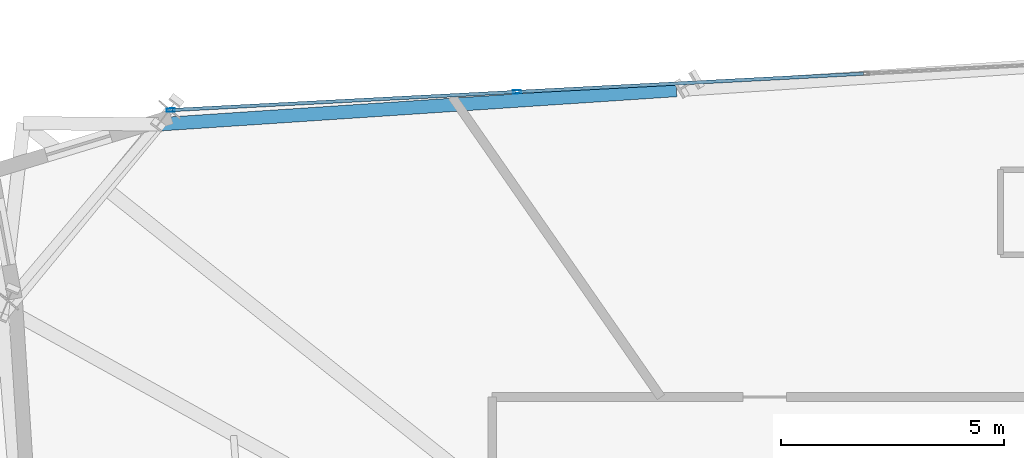
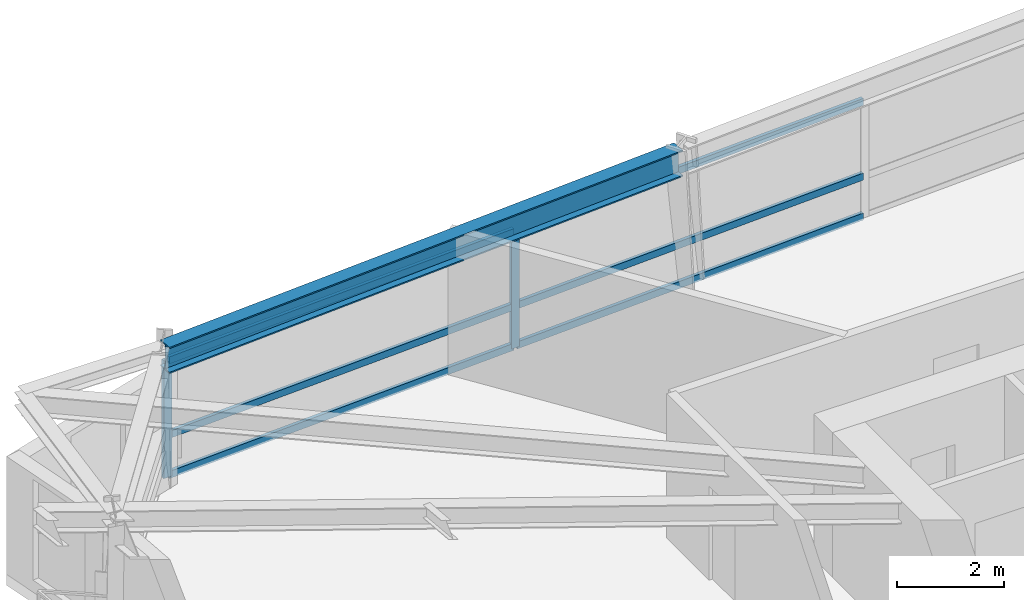
# One storey, part 7 of 21: 8 members, 1 beam, 1 element without a shape of its own.
"""IFC4 building model written with IfcOpenShell, lengths in metres."""

from ifc_helpers import new_model, si_unit, direction, frame, origin, origin_2d, place, context, subcontext, project, spatial, hollow_rectangle, i_section, extrude, source, transform, mapped, material, material_profile, profile_set, type_object, element, aggregate, save


model = new_model("IFC4")

# Units and contexts
model_context = context("Model", 3, precision=1e-05, world=origin(), true_north=direction((0.0, 1.0)))
body_context = subcontext(model_context, "Body", "Model", "MODEL_VIEW")
ifc_project = project(units=[si_unit("LENGTHUNIT", "METRE"), si_unit("AREAUNIT", "SQUARE_METRE"), si_unit("VOLUMEUNIT", "CUBIC_METRE"), si_unit("PLANEANGLEUNIT", "RADIAN"), si_unit("MASSUNIT", "GRAM", prefix="KILO")], contexts=[model_context])

# Site, building, storey
site_placement = place(None, origin())
site = spatial("IfcSite", under=ifc_project, at=site_placement, CompositionType="ELEMENT")
building_placement = place(site_placement, origin())
building = spatial("IfcBuilding", under=site, at=building_placement, Name="Olszyna Solenne Hotel", CompositionType="ELEMENT")
storey_placement = place(building_placement, frame((0.0, 0.0, 105.699951171875)))
storey = spatial("IfcBuildingStorey", under=building, at=storey_placement, Name="L27", CompositionType="ELEMENT", Elevation=105.699951171875)

# Beam
ifc_material_1 = material(Name="Steel S355J2", Category="steel")
ifc_material_profile_1 = material_profile(ifc_material_1, i_section(OverallWidth=0.300048828125, OverallDepth=0.60009765625, WebThickness=0.015380859375, FlangeThickness=0.030029296875, at=origin_2d()), Name="HEB 600", Category="load-bearing")
ifc_profile_set_1 = profile_set([ifc_material_profile_1], Name="Steel S355J2")
beam_type = type_object("IfcBeamType", Name="BM-S2", PredefinedType="BEAM", material=ifc_profile_set_1)
shared_shape_1 = source(origin(), body_context, "Body", "SweptSolid", [
    extrude(i_section(OverallWidth=0.300048828125, OverallDepth=0.60009765625, WebThickness=0.015380859375, FlangeThickness=0.030029296875, at=origin_2d()), origin(), (0.0, 0.0, 1.0), 11.556640625),
])
beam_placement = place(storey_placement, frame((31.5712890625, 43.22021484375, 3.0), z_axis=(-0.99780586103, -0.066207731378, 0.0), x_axis=(0.066207731378, -0.99780586103, 0.0)))
element("IfcBeam", 1, at=beam_placement, inside=storey, type_object=beam_type, Name="Perimeter spandrel beam BM-S2 B-L27-0813", PredefinedType="BEAM", context=body_context, shape_type="MappedRepresentation", body=[
    mapped(shared_shape_1, transform((0.0, 0.0, 0.0), x_axis=(1.0, 0.0, 0.0), y_axis=(0.0, 1.0, 0.0), z_axis=(0.0, 0.0, 1.0), scale=1.0)),
])

# Curtain wall, members
ifc_material_2 = material(Name="Anodised bronze aluminium", Category="aluminium")
curtain_wall_type = type_object("IfcCurtainWallType", Name="CW-SYS-3", PredefinedType="NOTDEFINED", material=ifc_material_2)
curtain_wall_placement = place(storey_placement, origin())
curtain_wall = element("IfcCurtainWall", 2, at=curtain_wall_placement, inside=storey, type_object=curtain_wall_type, Name="Unitised curtain wall CW-SYS-3 CW-L27-02", PredefinedType="NOTDEFINED")
ifc_material_profile_2 = material_profile(ifc_material_2, hollow_rectangle(XDim=0.074951171875, YDim=0.179931640625, WallThickness=0.00439453125, at=origin_2d()), Name="MULL 180x75x4.5", Category="load-bearing")
ifc_profile_set_2 = profile_set([ifc_material_profile_2], Name="Anodised bronze aluminium")
member_type_1 = type_object("IfcMemberType", Name="CW-M2", PredefinedType="MULLION", material=ifc_profile_set_2)
shared_shape_2 = source(origin(), body_context, "Body", "SweptSolid", [
    extrude(hollow_rectangle(XDim=0.074951171875, YDim=0.179931640625, WallThickness=0.00439453125, at=origin_2d()), origin(), (0.0, 0.0, 1.0), 2.692138671875),
])
member_1_placement = place(storey_placement, frame((20.258544921875, 42.771240234375, 0.0), z_axis=(0.0, 0.0, 1.0), x_axis=(-0.052482970069, 0.998621819235, 0.0)))
member_1 = element("IfcMember", 3, at=member_1_placement, type_object=member_type_1, Name="Curtain-wall mullion CW-M2 CM-L27-02-01", PredefinedType="MULLION", context=body_context, shape_type="MappedRepresentation", body=[
    mapped(shared_shape_2, transform((0.0, 0.0, 0.0), x_axis=(1.0, 0.0, 0.0), y_axis=(0.0, 1.0, 0.0), z_axis=(0.0, 0.0, 1.0), scale=1.0)),
])
member_2_placement = place(storey_placement, frame((28.00537109375, 43.17822265625, 0.0), z_axis=(0.0, 0.0, 1.0), x_axis=(-0.052482970069, 0.998621819235, 0.0)))
member_2 = element("IfcMember", 4, at=member_2_placement, type_object=member_type_1, Name="Curtain-wall mullion CW-M2 CM-L27-02-02", PredefinedType="MULLION", context=body_context, shape_type="MappedRepresentation", body=[
    mapped(shared_shape_2, transform((0.0, 0.0, 0.0), x_axis=(1.0, 0.0, 0.0), y_axis=(0.0, 1.0, 0.0), z_axis=(0.0, 0.0, 1.0), scale=1.0)),
])
ifc_material_profile_3 = material_profile(ifc_material_2, hollow_rectangle(XDim=0.074951171875, YDim=0.159912109375, WallThickness=0.00390625, at=origin_2d()), Name="TRAN 160x75x4", Category="load-bearing")
ifc_profile_set_3 = profile_set([ifc_material_profile_3], Name="Anodised bronze aluminium")
member_type_2 = type_object("IfcMemberType", Name="CW-T1", PredefinedType="USERDEFINED", material=ifc_profile_set_3)
shared_shape_3 = source(origin(), body_context, "Body", "SweptSolid", [
    extrude(hollow_rectangle(XDim=0.074951171875, YDim=0.159912109375, WallThickness=0.00390625, at=origin_2d()), origin(), (0.0, 0.0, 1.0), 7.682373046875),
])
member_3_placement = place(storey_placement, frame((20.2958984375, 42.773193359375, 0.03759765625), z_axis=(0.998622653417, 0.052467095239, 0.0), x_axis=(-0.052467095239, 0.998622653417, 0.0)))
member_3 = element("IfcMember", 5, at=member_3_placement, type_object=member_type_2, Name="Curtain-wall transom CW-T1 CT-L27-02-01", ObjectType="TRANSOM", PredefinedType="USERDEFINED", context=body_context, shape_type="MappedRepresentation", body=[
    mapped(shared_shape_3, transform((0.0, 0.0, 0.0), x_axis=(1.0, 0.0, 0.0), y_axis=(0.0, 1.0, 0.0), z_axis=(0.0, 0.0, 1.0), scale=1.0)),
])
member_4_placement = place(storey_placement, frame((20.2958984375, 42.773193359375, 0.949951171875), z_axis=(0.998622653417, 0.052467095239, 0.0), x_axis=(-0.052467095239, 0.998622653417, 0.0)))
member_4 = element("IfcMember", 6, at=member_4_placement, type_object=member_type_2, Name="Curtain-wall transom CW-T1 CT-L27-02-02", ObjectType="TRANSOM", PredefinedType="USERDEFINED", context=body_context, shape_type="MappedRepresentation", body=[
    mapped(shared_shape_3, transform((0.0, 0.0, 0.0), x_axis=(1.0, 0.0, 0.0), y_axis=(0.0, 1.0, 0.0), z_axis=(0.0, 0.0, 1.0), scale=1.0)),
])
member_5_placement = place(storey_placement, frame((20.2958984375, 42.773193359375, 2.654541015625), z_axis=(0.998622653417, 0.052467095239, 0.0), x_axis=(-0.052467095239, 0.998622653417, 0.0)))
member_5 = element("IfcMember", 7, at=member_5_placement, type_object=member_type_2, Name="Curtain-wall transom CW-T1 CT-L27-02-03", ObjectType="TRANSOM", PredefinedType="USERDEFINED", context=body_context, shape_type="MappedRepresentation", body=[
    mapped(shared_shape_3, transform((0.0, 0.0, 0.0), x_axis=(1.0, 0.0, 0.0), y_axis=(0.0, 1.0, 0.0), z_axis=(0.0, 0.0, 1.0), scale=1.0)),
])
shared_shape_4 = source(origin(), body_context, "Body", "SweptSolid", [
    extrude(hollow_rectangle(XDim=0.074951171875, YDim=0.159912109375, WallThickness=0.00390625, at=origin_2d()), origin(), (0.0, 0.0, 1.0), 7.719970703125),
])
member_6_placement = place(storey_placement, frame((28.042724609375, 43.18017578125, 0.03759765625), z_axis=(0.998621059828, 0.052497417719, 0.0), x_axis=(-0.052497417719, 0.998621059828, 0.0)))
member_6 = element("IfcMember", 8, at=member_6_placement, type_object=member_type_2, Name="Curtain-wall transom CW-T1 CT-L27-02-04", ObjectType="TRANSOM", PredefinedType="USERDEFINED", context=body_context, shape_type="MappedRepresentation", body=[
    mapped(shared_shape_4, transform((0.0, 0.0, 0.0), x_axis=(1.0, 0.0, 0.0), y_axis=(0.0, 1.0, 0.0), z_axis=(0.0, 0.0, 1.0), scale=1.0)),
])
member_7_placement = place(storey_placement, frame((28.042724609375, 43.18017578125, 0.949951171875), z_axis=(0.998621059828, 0.052497417719, 0.0), x_axis=(-0.052497417719, 0.998621059828, 0.0)))
member_7 = element("IfcMember", 9, at=member_7_placement, type_object=member_type_2, Name="Curtain-wall transom CW-T1 CT-L27-02-05", ObjectType="TRANSOM", PredefinedType="USERDEFINED", context=body_context, shape_type="MappedRepresentation", body=[
    mapped(shared_shape_4, transform((0.0, 0.0, 0.0), x_axis=(1.0, 0.0, 0.0), y_axis=(0.0, 1.0, 0.0), z_axis=(0.0, 0.0, 1.0), scale=1.0)),
])
member_8_placement = place(storey_placement, frame((28.042724609375, 43.18017578125, 2.654541015625), z_axis=(0.998621059828, 0.052497417719, 0.0), x_axis=(-0.052497417719, 0.998621059828, 0.0)))
member_8 = element("IfcMember", 10, at=member_8_placement, type_object=member_type_2, Name="Curtain-wall transom CW-T1 CT-L27-02-06", ObjectType="TRANSOM", PredefinedType="USERDEFINED", context=body_context, shape_type="MappedRepresentation", body=[
    mapped(shared_shape_4, transform((0.0, 0.0, 0.0), x_axis=(1.0, 0.0, 0.0), y_axis=(0.0, 1.0, 0.0), z_axis=(0.0, 0.0, 1.0), scale=1.0)),
])
aggregate(curtain_wall, [member_1, member_2, member_3, member_4, member_5, member_6, member_7, member_8])

save(model, "model.ifc")
